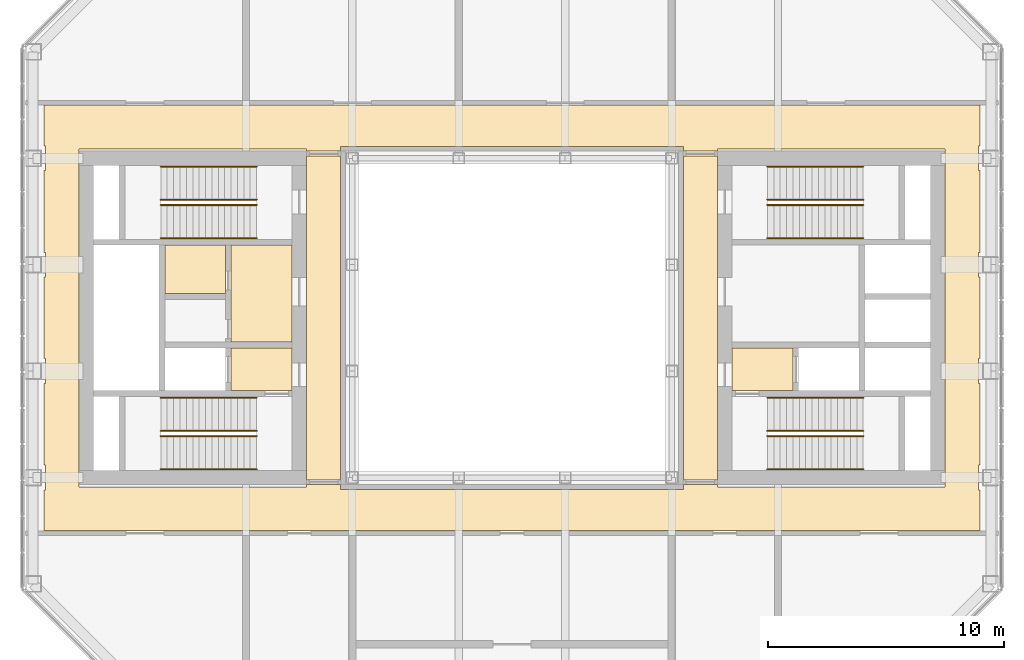
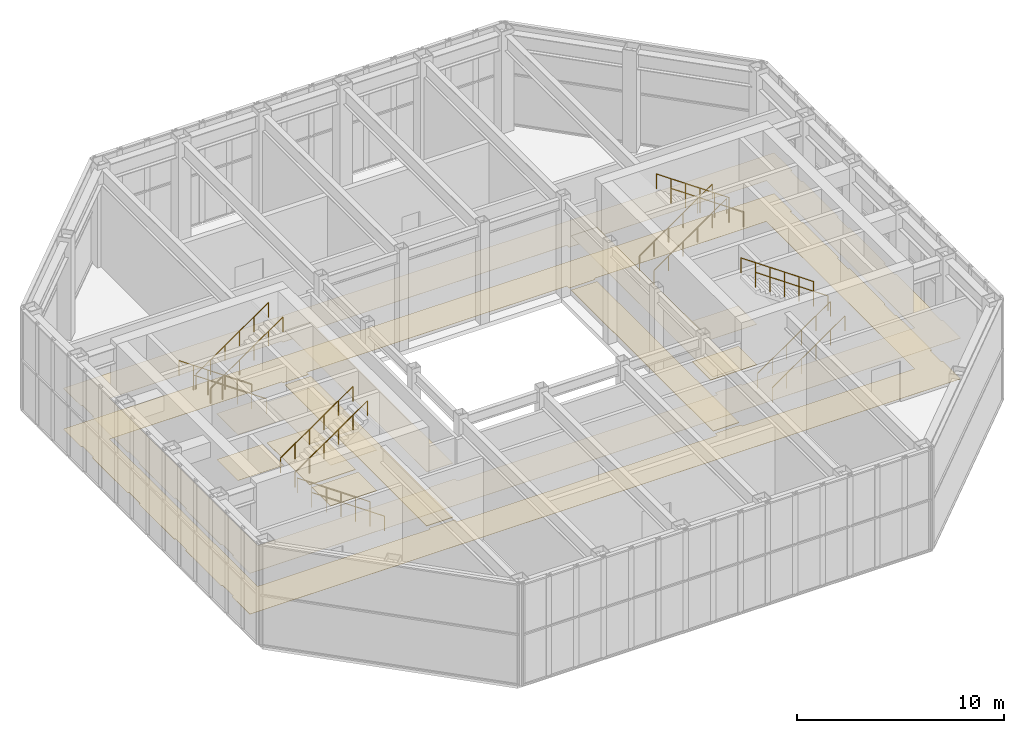
# One storey, part 12 of 12: 16 railings, 5 coverings.
"""IFC4 building model written with IfcOpenShell, lengths in metres."""

from ifc_helpers import new_model, si_unit, direction, frame, origin, origin_2d, place, context, subcontext, project, spatial, line, indexed_curve, circle, outline, extrude, material, layer, layer_set, type_object, element, save


model = new_model("IFC4")

# Units and contexts
model_context = context("Model", 3, precision=1e-05, world=origin(), true_north=direction((0.0, 1.0)))
body_context = subcontext(model_context, "Body", "Model", "MODEL_VIEW")
ifc_project = project(units=[si_unit("LENGTHUNIT", "METRE"), si_unit("AREAUNIT", "SQUARE_METRE"), si_unit("VOLUMEUNIT", "CUBIC_METRE"), si_unit("PLANEANGLEUNIT", "RADIAN"), si_unit("MASSUNIT", "GRAM", prefix="KILO")], contexts=[model_context])

# Site, building, storey
site_placement = place(None, origin())
site = spatial("IfcSite", under=ifc_project, at=site_placement, CompositionType="ELEMENT")
building_placement = place(site_placement, origin())
building = spatial("IfcBuilding", under=site, at=building_placement, Name="Msasa Ring Tower", CompositionType="ELEMENT")
storey_placement = place(building_placement, frame((0.0, 0.0, 262.050048828125)))
storey = spatial("IfcBuildingStorey", under=building, at=storey_placement, Name="L68", CompositionType="ELEMENT", Elevation=262.050048828125)

# Coverings
ifc_material_1 = material(Name="Gypsum plasterboard on a steel suspension grid", Category="steel")
ifc_layer_1 = layer(ifc_material_1, 0.014892578125)
ifc_layer_set_1 = layer_set([ifc_layer_1], Name="C1 SUSPENDED PLASTERBOARD CEILING 15")
covering_type_1 = type_object("IfcCoveringType", Name="C1 SUSPENDED PLASTERBOARD CEILING 15", PredefinedType="CEILING", material=ifc_layer_set_1)
covering_1_placement = place(storey_placement, frame((0.0, 0.0, 2.39990234375)))
element("IfcCovering", 1, at=covering_1_placement, inside=storey, type_object=covering_type_1, Name="Suspended Plasterboard Ceiling 15 circulation L68", PredefinedType="CEILING", context=body_context, shape_type="SweptSolid", body=[
    extrude(outline(indexed_curve([(-19.799560546875, -8.99951171875), (-19.799560546875, -7.275390625), (-19.724609375, -7.275390625), (-19.724609375, -6.224609375), (-19.799560546875, -6.224609375), (-19.799560546875, -2.775390625), (-19.724609375, -2.775390625), (-19.724609375, -1.724609375), (-19.799560546875, -1.724609375), (-19.799560546875, 1.724609375), (-19.724609375, 1.724609375), (-19.724609375, 2.775390625), (-19.799560546875, 2.775390625), (-19.799560546875, 6.224609375), (-19.724609375, 6.224609375), (-19.724609375, 7.275390625), (-19.799560546875, 7.275390625), (-19.799560546875, 8.99951171875), (19.799560546875, 8.99951171875), (19.799560546875, 7.275390625), (19.724609375, 7.275390625), (19.724609375, 6.224609375), (19.799560546875, 6.224609375), (19.799560546875, 2.775390625), (19.724609375, 2.775390625), (19.724609375, 1.724609375), (19.799560546875, 1.724609375), (19.799560546875, -1.724609375), (19.724609375, -1.724609375), (19.724609375, -2.775390625), (19.799560546875, -2.775390625), (19.799560546875, -6.224609375), (19.724609375, -6.224609375), (19.724609375, -7.275390625), (19.799560546875, -7.275390625), (19.799560546875, -8.99951171875)], segments=[line(1, 2, 3, 4, 5, 6, 7, 8, 9, 10, 11, 12, 13, 14, 15, 16, 17, 18, 19, 20, 21, 22, 23, 24, 25, 26, 27, 28, 29, 30, 31, 32, 33, 34, 35, 36, 1)], self_intersect=False), holes=[indexed_curve([(8.699462890625, -7.150390625), (18.300537109375, -7.150390625), (18.300537109375, 7.150390625), (8.699462890625, 7.150390625), (8.699462890625, 7.050537109375), (7.25, 7.050537109375), (7.25, 7.25048828125), (-7.25, 7.25048828125), (-7.25, 7.050537109375), (-8.699462890625, 7.050537109375), (-8.699462890625, 7.150390625), (-18.300537109375, 7.150390625), (-18.300537109375, -7.150390625), (-8.699462890625, -7.150390625), (-8.699462890625, -7.050537109375), (-7.25, -7.050537109375), (-7.25, -7.25048828125), (7.25, -7.25048828125), (7.25, -7.050537109375), (8.699462890625, -7.050537109375)], segments=[line(1, 2, 3, 4, 5, 6, 7, 8, 9, 10, 11, 12, 13, 14, 15, 16, 17, 18, 19, 20, 1)], self_intersect=False)]), origin(), (0.0, 0.0, 1.0), 0.01513671875),
    extrude(outline(indexed_curve([(-9.300537109375, -3.074462890625), (-11.87451171875, -3.074462890625), (-11.87451171875, -1.275390625), (-9.300537109375, -1.275390625)], segments=[line(1, 2, 3, 4, 1)], self_intersect=False)), origin(), (0.0, 0.0, 1.0), 0.01513671875),
    extrude(outline(indexed_curve([(-9.300537109375, -1.0244140625), (-11.87451171875, -1.0244140625), (-11.87451171875, 3.074462890625), (-9.300537109375, 3.074462890625)], segments=[line(1, 2, 3, 4, 1)], self_intersect=False)), origin(), (0.0, 0.0, 1.0), 0.01513671875),
    extrude(outline(indexed_curve([(11.87451171875, -3.074462890625), (9.300537109375, -3.074462890625), (9.300537109375, -1.275390625), (11.87451171875, -1.275390625)], segments=[line(1, 2, 3, 4, 1)], self_intersect=False)), origin(), (0.0, 0.0, 1.0), 0.01513671875),
])
covering_2_placement = place(storey_placement, frame((0.0, 0.0, 3.199951171875)))
element("IfcCovering", 2, at=covering_2_placement, inside=storey, type_object=covering_type_1, Name="Suspended Plasterboard Ceiling 15 public rooms L68", PredefinedType="CEILING", context=body_context, shape_type="SweptSolid", body=[
    extrude(outline(indexed_curve([(-7.25048828125, 6.849609375), (-7.25048828125, -6.849609375), (-8.699462890625, -6.849609375), (-8.699462890625, 6.849609375)], segments=[line(1, 2, 3, 4, 1)], self_intersect=False)), origin(), (0.0, 0.0, 1.0), 0.014892578125),
    extrude(outline(indexed_curve([(8.699462890625, 6.849609375), (8.699462890625, -6.849609375), (7.25048828125, -6.849609375), (7.25048828125, 6.849609375)], segments=[line(1, 2, 3, 4, 1)], self_intersect=False)), origin(), (0.0, 0.0, 1.0), 0.014892578125),
])
covering_3_placement = place(storey_placement, frame((0.0, 0.0, 2.699951171875)))
element("IfcCovering", 3, at=covering_3_placement, inside=storey, type_object=covering_type_1, Name="Suspended Plasterboard Ceiling 15 L68", PredefinedType="CEILING", context=body_context, shape_type="SweptSolid", body=[
    extrude(outline(indexed_curve([(-14.674560546875, 3.074462890625), (-12.12548828125, 3.074462890625), (-12.12548828125, 1.025390625), (-14.674560546875, 1.025390625)], segments=[line(1, 2, 3, 4, 1)], self_intersect=False)), origin(), (0.0, 0.0, 1.0), 0.014892578125),
])
ifc_material_2 = material(Name="Honed granite tiles on a mortar bed", Category="masonry")
ifc_layer_2 = layer(ifc_material_2, 0.030029296875)
ifc_layer_set_2 = layer_set([ifc_layer_2], Name="F1 HONED GRANITE ON BEDDING 30")
covering_type_2 = type_object("IfcCoveringType", Name="F1 HONED GRANITE ON BEDDING 30", PredefinedType="FLOORING", material=ifc_layer_set_2)
covering_4_placement = place(storey_placement, origin())
element("IfcCovering", 4, at=covering_4_placement, inside=storey, type_object=covering_type_2, Name="Honed Granite On Bedding 30 L68", PredefinedType="FLOORING", context=body_context, shape_type="SweptSolid", body=[
    extrude(outline(indexed_curve([(-11.87451171875, -3.074462890625), (-11.87451171875, -1.275390625), (-9.300537109375, -1.275390625), (-9.300537109375, -3.074462890625)], segments=[line(1, 2, 3, 4, 1)], self_intersect=False)), origin(), (0.0, 0.0, 1.0), 0.030029296875),
    extrude(outline(indexed_curve([(-11.87451171875, 3.074462890625), (-9.300537109375, 3.074462890625), (-9.300537109375, -1.0244140625), (-11.87451171875, -1.0244140625)], segments=[line(1, 2, 3, 4, 1)], self_intersect=False)), origin(), (0.0, 0.0, 1.0), 0.030029296875),
    extrude(outline(indexed_curve([(-8.699462890625, -6.849609375), (-8.699462890625, 6.849609375), (-7.25048828125, 6.849609375), (-7.25048828125, -6.849609375)], segments=[line(1, 2, 3, 4, 1)], self_intersect=False)), origin(), (0.0, 0.0, 1.0), 0.030029296875),
    extrude(outline(indexed_curve([(8.699462890625, 6.849609375), (8.699462890625, -6.849609375), (7.25048828125, -6.849609375), (7.25048828125, 6.849609375)], segments=[line(1, 2, 3, 4, 1)], self_intersect=False)), origin(), (0.0, 0.0, 1.0), 0.030029296875),
    extrude(outline(indexed_curve([(9.300537109375, -3.074462890625), (9.300537109375, -1.275390625), (11.87451171875, -1.275390625), (11.87451171875, -3.074462890625)], segments=[line(1, 2, 3, 4, 1)], self_intersect=False)), origin(), (0.0, 0.0, 1.0), 0.030029296875),
])
ifc_material_3 = material(Name="Wool-blend carpet on felt underlay", Category="textile")
ifc_layer_3 = layer(ifc_material_3, 0.011962890625)
ifc_layer_set_3 = layer_set([ifc_layer_3], Name="F2 CARPET ON UNDERLAY 12")
covering_type_3 = type_object("IfcCoveringType", Name="F2 CARPET ON UNDERLAY 12", PredefinedType="FLOORING", material=ifc_layer_set_3)
covering_5_placement = place(storey_placement, origin())
element("IfcCovering", 5, at=covering_5_placement, inside=storey, type_object=covering_type_3, Name="Carpet On Underlay 12 L68", PredefinedType="FLOORING", context=body_context, shape_type="SweptSolid", body=[
    extrude(outline(indexed_curve([(-19.799560546875, -8.99951171875), (-19.799560546875, -7.275390625), (-19.724609375, -7.275390625), (-19.724609375, -6.224609375), (-19.799560546875, -6.224609375), (-19.799560546875, -2.775390625), (-19.724609375, -2.775390625), (-19.724609375, -1.724609375), (-19.799560546875, -1.724609375), (-19.799560546875, 1.724609375), (-19.724609375, 1.724609375), (-19.724609375, 2.775390625), (-19.799560546875, 2.775390625), (-19.799560546875, 6.224609375), (-19.724609375, 6.224609375), (-19.724609375, 7.275390625), (-19.799560546875, 7.275390625), (-19.799560546875, 8.99951171875), (19.799560546875, 8.99951171875), (19.799560546875, 7.275390625), (19.724609375, 7.275390625), (19.724609375, 6.224609375), (19.799560546875, 6.224609375), (19.799560546875, 2.775390625), (19.724609375, 2.775390625), (19.724609375, 1.724609375), (19.799560546875, 1.724609375), (19.799560546875, -1.724609375), (19.724609375, -1.724609375), (19.724609375, -2.775390625), (19.799560546875, -2.775390625), (19.799560546875, -6.224609375), (19.724609375, -6.224609375), (19.724609375, -7.275390625), (19.799560546875, -7.275390625), (19.799560546875, -8.99951171875)], segments=[line(1, 2, 3, 4, 5, 6, 7, 8, 9, 10, 11, 12, 13, 14, 15, 16, 17, 18, 19, 20, 21, 22, 23, 24, 25, 26, 27, 28, 29, 30, 31, 32, 33, 34, 35, 36, 1)], self_intersect=False), holes=[indexed_curve([(8.699462890625, -7.150390625), (18.300537109375, -7.150390625), (18.300537109375, 7.150390625), (8.699462890625, 7.150390625), (8.699462890625, 7.050537109375), (7.25, 7.050537109375), (7.25, 7.25048828125), (-7.25, 7.25048828125), (-7.25, 7.050537109375), (-8.699462890625, 7.050537109375), (-8.699462890625, 7.150390625), (-18.300537109375, 7.150390625), (-18.300537109375, -7.150390625), (-8.699462890625, -7.150390625), (-8.699462890625, -7.050537109375), (-7.25, -7.050537109375), (-7.25, -7.25048828125), (7.25, -7.25048828125), (7.25, -7.050537109375), (8.699462890625, -7.050537109375)], segments=[line(1, 2, 3, 4, 5, 6, 7, 8, 9, 10, 11, 12, 13, 14, 15, 16, 17, 18, 19, 20, 1)], self_intersect=False)]), origin(), (0.0, 0.0, 1.0), 0.011962890625),
    extrude(outline(indexed_curve([(-12.12548828125, 1.025390625), (-14.674560546875, 1.025390625), (-14.674560546875, 3.074462890625), (-12.12548828125, 3.074462890625)], segments=[line(1, 2, 3, 4, 1)], self_intersect=False)), origin(), (0.0, 0.0, 1.0), 0.011962890625),
])

# Railings
ifc_material_4 = material(Name="Stainless steel", Category="steel")
railing_type = type_object("IfcRailingType", Name="HR1 HANDRAIL 900", PredefinedType="HANDRAIL", material=ifc_material_4)
for number, where, name in (
    (6, (10.800048828125, -6.39990234375, 0.1875), "Handrail stair SEA L68 1"),
    (7, (10.800048828125, -5.0, 0.1875), "Handrail stair SEA L68 2"),
):
    element("IfcRailing", number, at=place(storey_placement, frame(where)), inside=storey, type_object=railing_type, Name=name, PredefinedType="HANDRAIL", context=body_context, shape_type="SweptSolid", body=[
        extrude(circle(Radius=0.02392578125, at=origin_2d()), frame((0.0, 0.0, 0.8759765625), z_axis=(0.821373187493, 0.0, 0.570391170047), x_axis=(0.0, 1.0, 0.0)), (0.0, 0.0, 1.0), 4.930908203125),
        extrude(circle(Radius=0.02099609375, at=origin_2d()), origin(), (0.0, 0.0, 1.0), 0.851806640625),
        extrude(circle(Radius=0.02099609375, at=origin_2d()), frame((0.81005859375, 0.0, 0.5625)), (0.0, 0.0, 1.0), 0.851806640625),
        extrude(circle(Radius=0.02099609375, at=origin_2d()), frame((1.6201171875, 0.0, 1.125)), (0.0, 0.0, 1.0), 0.851806640625),
        extrude(circle(Radius=0.02099609375, at=origin_2d()), frame((2.429931640625, 0.0, 1.6875)), (0.0, 0.0, 1.0), 0.851806640625),
        extrude(circle(Radius=0.02099609375, at=origin_2d()), frame((3.239990234375, 0.0, 2.25)), (0.0, 0.0, 1.0), 0.851806640625),
        extrude(circle(Radius=0.02099609375, at=origin_2d()), frame((4.050048828125, 0.0, 2.8125)), (0.0, 0.0, 1.0), 0.851806640625),
    ])
for number, where, name in (
    (8, (14.85009765625, -4.77490234375, 3.1875), "Handrail stair SEA L68 3"),
    (9, (14.85009765625, -3.375, 3.1875), "Handrail stair SEA L68 4"),
):
    element("IfcRailing", number, at=place(storey_placement, frame(where)), inside=storey, type_object=railing_type, Name=name, PredefinedType="HANDRAIL", context=body_context, shape_type="SweptSolid", body=[
        extrude(circle(Radius=0.02392578125, at=origin_2d()), frame((0.0, 0.0, 0.8759765625), z_axis=(-0.821373187493, 0.0, 0.570391170047), x_axis=(0.0, -1.0, 0.0)), (0.0, 0.0, 1.0), 4.930908203125),
        extrude(circle(Radius=0.02099609375, at=origin_2d()), origin(), (0.0, 0.0, 1.0), 0.851806640625),
        extrude(circle(Radius=0.02099609375, at=origin_2d()), frame((-0.81005859375, 0.0, 0.5625)), (0.0, 0.0, 1.0), 0.851806640625),
        extrude(circle(Radius=0.02099609375, at=origin_2d()), frame((-1.6201171875, 0.0, 1.125)), (0.0, 0.0, 1.0), 0.851806640625),
        extrude(circle(Radius=0.02099609375, at=origin_2d()), frame((-2.429931640625, 0.0, 1.6875)), (0.0, 0.0, 1.0), 0.851806640625),
        extrude(circle(Radius=0.02099609375, at=origin_2d()), frame((-3.239990234375, 0.0, 2.25)), (0.0, 0.0, 1.0), 0.851806640625),
        extrude(circle(Radius=0.02099609375, at=origin_2d()), frame((-4.050048828125, 0.0, 2.8125)), (0.0, 0.0, 1.0), 0.851806640625),
    ])
for number, where, name in (
    (10, (10.800048828125, 5.0, 0.1875), "Handrail stair SEB L68 1"),
    (11, (10.800048828125, 6.39990234375, 0.1875), "Handrail stair SEB L68 2"),
):
    element("IfcRailing", number, at=place(storey_placement, frame(where)), inside=storey, type_object=railing_type, Name=name, PredefinedType="HANDRAIL", context=body_context, shape_type="SweptSolid", body=[
        extrude(circle(Radius=0.02392578125, at=origin_2d()), frame((0.0, 0.0, 0.8759765625), z_axis=(0.821373187493, 0.0, 0.570391170047), x_axis=(0.0, 1.0, 0.0)), (0.0, 0.0, 1.0), 4.930908203125),
        extrude(circle(Radius=0.02099609375, at=origin_2d()), origin(), (0.0, 0.0, 1.0), 0.851806640625),
        extrude(circle(Radius=0.02099609375, at=origin_2d()), frame((0.81005859375, 0.0, 0.5625)), (0.0, 0.0, 1.0), 0.851806640625),
        extrude(circle(Radius=0.02099609375, at=origin_2d()), frame((1.6201171875, 0.0, 1.125)), (0.0, 0.0, 1.0), 0.851806640625),
        extrude(circle(Radius=0.02099609375, at=origin_2d()), frame((2.429931640625, 0.0, 1.6875)), (0.0, 0.0, 1.0), 0.851806640625),
        extrude(circle(Radius=0.02099609375, at=origin_2d()), frame((3.239990234375, 0.0, 2.25)), (0.0, 0.0, 1.0), 0.851806640625),
        extrude(circle(Radius=0.02099609375, at=origin_2d()), frame((4.050048828125, 0.0, 2.8125)), (0.0, 0.0, 1.0), 0.851806640625),
    ])
for number, where, name in (
    (12, (14.85009765625, 3.375, 3.1875), "Handrail stair SEB L68 3"),
    (13, (14.85009765625, 4.77490234375, 3.1875), "Handrail stair SEB L68 4"),
    (14, (-10.800048828125, -6.39990234375, 0.1875), "Handrail stair SWA L68 1"),
    (15, (-10.800048828125, -5.0, 0.1875), "Handrail stair SWA L68 2"),
):
    element("IfcRailing", number, at=place(storey_placement, frame(where)), inside=storey, type_object=railing_type, Name=name, PredefinedType="HANDRAIL", context=body_context, shape_type="SweptSolid", body=[
        extrude(circle(Radius=0.02392578125, at=origin_2d()), frame((0.0, 0.0, 0.8759765625), z_axis=(-0.821373187493, 0.0, 0.570391170047), x_axis=(0.0, -1.0, 0.0)), (0.0, 0.0, 1.0), 4.930908203125),
        extrude(circle(Radius=0.02099609375, at=origin_2d()), origin(), (0.0, 0.0, 1.0), 0.851806640625),
        extrude(circle(Radius=0.02099609375, at=origin_2d()), frame((-0.81005859375, 0.0, 0.5625)), (0.0, 0.0, 1.0), 0.851806640625),
        extrude(circle(Radius=0.02099609375, at=origin_2d()), frame((-1.6201171875, 0.0, 1.125)), (0.0, 0.0, 1.0), 0.851806640625),
        extrude(circle(Radius=0.02099609375, at=origin_2d()), frame((-2.429931640625, 0.0, 1.6875)), (0.0, 0.0, 1.0), 0.851806640625),
        extrude(circle(Radius=0.02099609375, at=origin_2d()), frame((-3.239990234375, 0.0, 2.25)), (0.0, 0.0, 1.0), 0.851806640625),
        extrude(circle(Radius=0.02099609375, at=origin_2d()), frame((-4.050048828125, 0.0, 2.8125)), (0.0, 0.0, 1.0), 0.851806640625),
    ])
for number, where, name in (
    (16, (-14.85009765625, -4.77490234375, 3.1875), "Handrail stair SWA L68 3"),
    (17, (-14.85009765625, -3.375, 3.1875), "Handrail stair SWA L68 4"),
):
    element("IfcRailing", number, at=place(storey_placement, frame(where)), inside=storey, type_object=railing_type, Name=name, PredefinedType="HANDRAIL", context=body_context, shape_type="SweptSolid", body=[
        extrude(circle(Radius=0.02392578125, at=origin_2d()), frame((0.0, 0.0, 0.8759765625), z_axis=(0.821373187493, 0.0, 0.570391170047), x_axis=(0.0, 1.0, 0.0)), (0.0, 0.0, 1.0), 4.930908203125),
        extrude(circle(Radius=0.02099609375, at=origin_2d()), origin(), (0.0, 0.0, 1.0), 0.851806640625),
        extrude(circle(Radius=0.02099609375, at=origin_2d()), frame((0.81005859375, 0.0, 0.5625)), (0.0, 0.0, 1.0), 0.851806640625),
        extrude(circle(Radius=0.02099609375, at=origin_2d()), frame((1.6201171875, 0.0, 1.125)), (0.0, 0.0, 1.0), 0.851806640625),
        extrude(circle(Radius=0.02099609375, at=origin_2d()), frame((2.429931640625, 0.0, 1.6875)), (0.0, 0.0, 1.0), 0.851806640625),
        extrude(circle(Radius=0.02099609375, at=origin_2d()), frame((3.239990234375, 0.0, 2.25)), (0.0, 0.0, 1.0), 0.851806640625),
        extrude(circle(Radius=0.02099609375, at=origin_2d()), frame((4.050048828125, 0.0, 2.8125)), (0.0, 0.0, 1.0), 0.851806640625),
    ])
for number, where, name in (
    (18, (-10.800048828125, 5.0, 0.1875), "Handrail stair SWB L68 1"),
    (19, (-10.800048828125, 6.39990234375, 0.1875), "Handrail stair SWB L68 2"),
):
    element("IfcRailing", number, at=place(storey_placement, frame(where)), inside=storey, type_object=railing_type, Name=name, PredefinedType="HANDRAIL", context=body_context, shape_type="SweptSolid", body=[
        extrude(circle(Radius=0.02392578125, at=origin_2d()), frame((0.0, 0.0, 0.8759765625), z_axis=(-0.821373187493, 0.0, 0.570391170047), x_axis=(0.0, -1.0, 0.0)), (0.0, 0.0, 1.0), 4.930908203125),
        extrude(circle(Radius=0.02099609375, at=origin_2d()), origin(), (0.0, 0.0, 1.0), 0.851806640625),
        extrude(circle(Radius=0.02099609375, at=origin_2d()), frame((-0.81005859375, 0.0, 0.5625)), (0.0, 0.0, 1.0), 0.851806640625),
        extrude(circle(Radius=0.02099609375, at=origin_2d()), frame((-1.6201171875, 0.0, 1.125)), (0.0, 0.0, 1.0), 0.851806640625),
        extrude(circle(Radius=0.02099609375, at=origin_2d()), frame((-2.429931640625, 0.0, 1.6875)), (0.0, 0.0, 1.0), 0.851806640625),
        extrude(circle(Radius=0.02099609375, at=origin_2d()), frame((-3.239990234375, 0.0, 2.25)), (0.0, 0.0, 1.0), 0.851806640625),
        extrude(circle(Radius=0.02099609375, at=origin_2d()), frame((-4.050048828125, 0.0, 2.8125)), (0.0, 0.0, 1.0), 0.851806640625),
    ])
for number, where, name in (
    (20, (-14.85009765625, 3.375, 3.1875), "Handrail stair SWB L68 3"),
    (21, (-14.85009765625, 4.77490234375, 3.1875), "Handrail stair SWB L68 4"),
):
    element("IfcRailing", number, at=place(storey_placement, frame(where)), inside=storey, type_object=railing_type, Name=name, PredefinedType="HANDRAIL", context=body_context, shape_type="SweptSolid", body=[
        extrude(circle(Radius=0.02392578125, at=origin_2d()), frame((0.0, 0.0, 0.8759765625), z_axis=(0.821373187493, 0.0, 0.570391170047), x_axis=(0.0, 1.0, 0.0)), (0.0, 0.0, 1.0), 4.930908203125),
        extrude(circle(Radius=0.02099609375, at=origin_2d()), origin(), (0.0, 0.0, 1.0), 0.851806640625),
        extrude(circle(Radius=0.02099609375, at=origin_2d()), frame((0.81005859375, 0.0, 0.5625)), (0.0, 0.0, 1.0), 0.851806640625),
        extrude(circle(Radius=0.02099609375, at=origin_2d()), frame((1.6201171875, 0.0, 1.125)), (0.0, 0.0, 1.0), 0.851806640625),
        extrude(circle(Radius=0.02099609375, at=origin_2d()), frame((2.429931640625, 0.0, 1.6875)), (0.0, 0.0, 1.0), 0.851806640625),
        extrude(circle(Radius=0.02099609375, at=origin_2d()), frame((3.239990234375, 0.0, 2.25)), (0.0, 0.0, 1.0), 0.851806640625),
        extrude(circle(Radius=0.02099609375, at=origin_2d()), frame((4.050048828125, 0.0, 2.8125)), (0.0, 0.0, 1.0), 0.851806640625),
    ])

save(model, "model.ifc")
